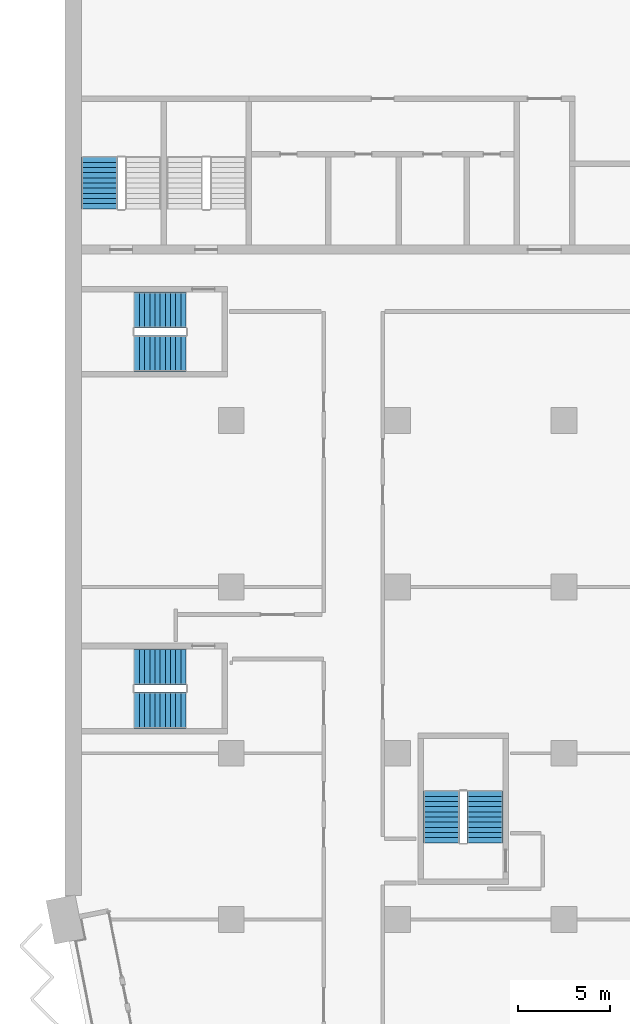
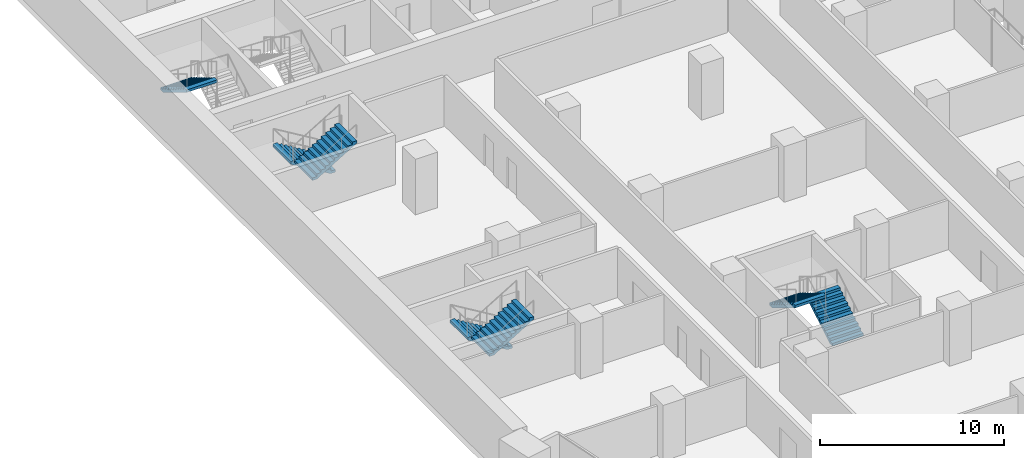
# One storey, part 19 of 28: 7 stair flights, 4 elements without a shape of their own.
"""IFC4 building model written with IfcOpenShell, lengths in metres."""

import ifcopenshell
import ifcopenshell.guid

model = None  # the IFC model being written
_history = None  # IfcOwnerHistory: only IFC2X3 demands one
_inside = {}  # id of a spatial element -> (the spatial element, [elements in it])
_under = {}  # id of a project, library or spatial element -> (it, [spatial elements below it])
_declared = {}  # id of a project -> (the project, [libraries it declares])
_typed = {}  # id of a type object -> (the type object, [elements of that type])
_made_of = {}  # id of a material, layer set ... -> (it, [elements and type objects made of it])


def new_model(schema):
    """Start an empty IFC model of exactly this schema.

    Asked for "IFC4X3", IfcOpenShell would pick the latest addendum, in which some entities
    have other attributes; the version numbers below select the first issue.
    IFC2X3 requires an IfcOwnerHistory on every rooted entity: one is made here for all.
    """
    global model, _history
    if schema == "IFC4X3":
        model = ifcopenshell.file(schema_version=(4, 3, 0, 0))
    else:
        model = ifcopenshell.file(schema=schema)
    _inside.clear()
    _under.clear()
    _declared.clear()
    _typed.clear()
    _made_of.clear()
    _history = None
    if model.schema == "IFC2X3":
        org = make("IfcOrganization", Name="unknown")
        user = make(
            "IfcPersonAndOrganization",
            ThePerson=make("IfcPerson", FamilyName="unknown"),
            TheOrganization=org,
        )
        app = make(
            "IfcApplication",
            ApplicationDeveloper=org,
            Version="unknown",
            ApplicationFullName="unknown",
            ApplicationIdentifier="unknown",
        )
        _history = make(
            "IfcOwnerHistory",
            OwningUser=user,
            OwningApplication=app,
            ChangeAction="ADDED",
            CreationDate=0,
        )
    return model


def make(cls, **values):
    """One entity of the class cls with the attributes given. An attribute that is None is left unset."""
    return model.create_entity(
        cls, **{name: value for name, value in values.items() if value is not None}
    )


def rooted(cls, **values):
    """An entity with a GlobalId (a new one), such as an element, a storey or a relation."""
    return make(cls, GlobalId=ifcopenshell.guid.new(), OwnerHistory=_history, **values)


def si_unit(unit_type, name, prefix=None):
    """IfcSIUnit, for example si_unit("LENGTHUNIT", "METRE", prefix="MILLI")."""
    return make("IfcSIUnit", UnitType=unit_type, Prefix=prefix, Name=name)


def assignment(units):
    """IfcUnitAssignment: the units of a project."""
    return None if units is None else make("IfcUnitAssignment", Units=units)


def point(xyz):
    """IfcCartesianPoint."""
    return None if xyz is None else make("IfcCartesianPoint", Coordinates=xyz)


def direction(xyz):
    """IfcDirection."""
    return None if xyz is None else make("IfcDirection", DirectionRatios=xyz)


def frame(location, z_axis=None, x_axis=None):
    """IfcAxis2Placement3D, a coordinate frame: its origin and axes. An axis left out is left unset."""
    return make(
        "IfcAxis2Placement3D",
        Location=point(location),
        Axis=direction(z_axis),
        RefDirection=direction(x_axis),
    )


def origin():
    """The frame at (0, 0, 0) with its axes left unset."""
    return frame((0.0, 0.0, 0.0))


def place(relative_to, where):
    """IfcLocalPlacement: puts the frame where relative to a parent placement (None: the world)."""
    return make(
        "IfcLocalPlacement", PlacementRelTo=relative_to, RelativePlacement=where
    )


def context(
    kind, dimensions, precision=None, world=None, true_north=None, identifier=None
):
    """IfcGeometricRepresentationContext, for example the 3D "Model" context."""
    return make(
        "IfcGeometricRepresentationContext",
        ContextIdentifier=identifier,
        ContextType=kind,
        CoordinateSpaceDimension=dimensions,
        Precision=precision,
        WorldCoordinateSystem=world,
        TrueNorth=true_north,
    )


def subcontext(parent, identifier, kind, view, scale=None):
    """IfcGeometricRepresentationSubContext, for example "Body" below "Model"."""
    return make(
        "IfcGeometricRepresentationSubContext",
        ContextIdentifier=identifier,
        ContextType=kind,
        ParentContext=parent,
        TargetScale=scale,
        TargetView=view,
    )


def project(units=None, contexts=None):
    """IfcProject with its units and contexts."""
    return rooted(
        "IfcProject",
        Name="project",
        RepresentationContexts=contexts,
        UnitsInContext=assignment(units),
    )


def spatial(cls, under=None, at=None, **own):
    """A site, building, storey or space (cls), placed at a placement, below another one or the project."""
    s = rooted(cls, ObjectPlacement=at, **own)
    if under is not None:
        _under.setdefault(under.id(), (under, []))[1].append(s)
    return s


def polyline(points):
    """IfcPolyline through the points."""
    return make("IfcPolyline", Points=[point(p) for p in points])


def outline(outer, holes=None, kind="AREA"):
    """IfcArbitraryClosedProfileDef: a profile drawn as a closed curve; with holes, ...WithVoids."""
    if holes is None:
        return make("IfcArbitraryClosedProfileDef", ProfileType=kind, OuterCurve=outer)
    return make(
        "IfcArbitraryProfileDefWithVoids",
        ProfileType=kind,
        OuterCurve=outer,
        InnerCurves=holes,
    )


def extrude(swept, where, along, depth):
    """IfcExtrudedAreaSolid: the profile swept, set in the frame where, extruded along a direction by depth."""
    return make(
        "IfcExtrudedAreaSolid",
        SweptArea=swept,
        Position=where,
        ExtrudedDirection=direction(along),
        Depth=depth,
    )


def shape(context_of_items, identifier, shape_type, items):
    """IfcShapeRepresentation: the items that make up one representation, for example the "Body"."""
    return make(
        "IfcShapeRepresentation",
        ContextOfItems=context_of_items,
        RepresentationIdentifier=identifier,
        RepresentationType=shape_type,
        Items=items,
    )


def material(Name=None, Category=None):
    """IfcMaterial."""
    return make("IfcMaterial", Name=Name, Category=Category)


def made_of(thing, what):
    """Note that an element or type object is made of a material, layer set ...; save() writes the relation."""
    if what is not None:
        _made_of.setdefault(what.id(), (what, []))[1].append(thing)
    return thing


def type_object(cls, material=None, **own):
    """A type object (cls), such as IfcWallType, which elements share."""
    return made_of(rooted(cls, **own), material)


def element(
    cls,
    number,
    at=None,
    inside=None,
    cuts=None,
    type_object=None,
    material=None,
    context=None,
    identifier="Body",
    shape_type=None,
    held_by="IfcProductDefinitionShape",
    body=None,
    shapes=None,
    **own,
):
    """One element of the class cls, such as IfcWall. Its Tag is "e" and its number.

    at: its placement. inside: the storey or other place that contains it. cuts: it is an
    opening in that element (IfcRelVoidsElement). A single representation is given by context,
    identifier, shape_type and body (its items); several are given by shapes. held_by: the class
    of the entity that holds the representations. save() writes the other relations.
    """
    e = rooted(cls, Tag="e%d" % number, ObjectPlacement=at, **own)
    if body is not None:
        shapes = [shape(context, identifier, shape_type, body)]
    if shapes is not None:
        e.Representation = make(held_by, Representations=shapes)
    if inside is not None:
        _inside.setdefault(inside.id(), (inside, []))[1].append(e)
    if cuts is not None:
        rooted(
            "IfcRelVoidsElement", RelatingBuildingElement=cuts, RelatedOpeningElement=e
        )
    if type_object is not None:
        _typed.setdefault(type_object.id(), (type_object, []))[1].append(e)
    return made_of(e, material)


def aggregate(whole, parts):
    """IfcRelAggregates: a whole, such as a stair, and the parts it consists of."""
    return rooted("IfcRelAggregates", RelatingObject=whole, RelatedObjects=parts)


def save(model, path):
    """Write the relations noted so far, then the file.

    IfcRelAggregates (storeys below a building ...), IfcRelContainedInSpatialStructure (elements
    in a storey), IfcRelDefinesByType, IfcRelAssociatesMaterial and IfcRelDeclares: one each for
    every whole, place, type object, material and project.
    """
    for whole, parts in _under.values():
        aggregate(whole, parts)
    for where, things in _inside.values():
        rooted(
            "IfcRelContainedInSpatialStructure",
            RelatedElements=things,
            RelatingStructure=where,
        )
    for kind, things in _typed.values():
        rooted("IfcRelDefinesByType", RelatedObjects=things, RelatingType=kind)
    for what, things in _made_of.values():
        rooted("IfcRelAssociatesMaterial", RelatedObjects=things, RelatingMaterial=what)
    for by, libraries in _declared.values():
        rooted("IfcRelDeclares", RelatingContext=by, RelatedDefinitions=libraries)
    model.write(path)


model = new_model("IFC4")

# Units and contexts
model_context = context("Model", 3, precision=1e-05, world=origin(), true_north=direction((0.0, 1.0)))
body_context = subcontext(model_context, "Body", "Model", "MODEL_VIEW")
ifc_project = project(units=[si_unit("LENGTHUNIT", "METRE"), si_unit("AREAUNIT", "SQUARE_METRE"), si_unit("VOLUMEUNIT", "CUBIC_METRE"), si_unit("PLANEANGLEUNIT", "RADIAN"), si_unit("MASSUNIT", "GRAM", prefix="KILO")], contexts=[model_context])

# Site, building, storey
site_placement = place(None, origin())
site = spatial("IfcSite", under=ifc_project, at=site_placement, CompositionType="ELEMENT")
building_placement = place(site_placement, origin())
building = spatial("IfcBuilding", under=site, at=building_placement, Name="Hunhe Ridgeline Campus", CompositionType="ELEMENT")
storey_placement = place(building_placement, frame((0.0, 0.0, 35.800048828125)))
storey = spatial("IfcBuildingStorey", under=building, at=storey_placement, Name="L07", CompositionType="ELEMENT", Elevation=35.800048828125)

# Stair, stair flight
ifc_material = material(Name="Concrete C40", Category="concrete")
stair_type = type_object("IfcStairType", Name="Reinforced concrete dog-leg stair 1950 Concrete C40", PredefinedType="HALF_TURN_STAIR", material=ifc_material)
stair_1_placement = place(storey_placement, origin())
stair_1 = element("IfcStair", 1, at=stair_1_placement, inside=storey, type_object=stair_type, Name="L07 S3", PredefinedType="HALF_TURN_STAIR")
stair_flight_type = type_object("IfcStairFlightType", Name="Reinforced concrete stair flight 1950 Concrete C40", PredefinedType="STRAIGHT", material=ifc_material)
stair_flight_1_placement = place(storey_placement, frame((1.875, 68.25, 1.849853515625), z_axis=(0.0, 0.0, 1.0), x_axis=(0.0, -1.0, 0.0)))
stair_flight_1 = element("IfcStairFlight", 2, at=stair_flight_1_placement, type_object=stair_flight_type, Name="ST3 flight 2", NumberOfRisers=11, NumberOfTreads=10, PredefinedType="STRAIGHT", RiserHeight=0.168181818, TreadLength=0.28, context=body_context, shape_type="SweptSolid", body=[
    extrude(outline(polyline([(0.0, 0.0), (0.0, 0.168212890625), (0.280029296875, 0.168212890625), (0.280029296875, 0.33642578125), (0.56005859375, 0.33642578125), (0.56005859375, 0.504638671875), (0.840087890625, 0.504638671875), (0.840087890625, 0.672607421875), (1.1201171875, 0.672607421875), (1.1201171875, 0.8408203125), (1.39990234375, 0.8408203125), (1.39990234375, 1.009033203125), (1.679931640625, 1.009033203125), (1.679931640625, 1.17724609375), (1.9599609375, 1.17724609375), (1.9599609375, 1.345458984375), (2.239990234375, 1.345458984375), (2.239990234375, 1.513671875), (2.52001953125, 1.513671875), (2.52001953125, 1.681884765625), (2.800048828125, 1.681884765625), (2.800048828125, 1.85009765625), (2.800048828125, 1.5068359375), (0.291015625, 0.0), (0.0, 0.0)])), frame((0.0, 0.97509765625, 0.0), z_axis=(0.0, -1.0, 0.0), x_axis=(1.0, 0.0, 0.0)), (0.0, 0.0, 1.0), 1.949951171875),
    extrude(outline(polyline([(0.030029296875, 0.030029296875), (0.030029296875, 0.13818359375), (0.31005859375, 0.13818359375), (0.31005859375, 0.306396484375), (0.590087890625, 0.306396484375), (0.590087890625, 0.474609375), (0.8701171875, 0.474609375), (0.8701171875, 0.642578125), (1.14990234375, 0.642578125), (1.14990234375, 0.810791015625), (1.429931640625, 0.810791015625), (1.429931640625, 0.97900390625), (1.7099609375, 0.97900390625), (1.7099609375, 1.147216796875), (1.989990234375, 1.147216796875), (1.989990234375, 1.3154296875), (2.27001953125, 1.3154296875), (2.27001953125, 1.483642578125), (2.550048828125, 1.483642578125), (2.550048828125, 1.65185546875), (2.77001953125, 1.65185546875), (2.77001953125, 1.52392578125), (0.28271484375, 0.030029296875), (0.030029296875, 0.030029296875)])), frame((0.0, -0.070068359375, 0.0), z_axis=(0.0, -1.0, 0.0), x_axis=(1.0, 0.0, 0.0)), (0.0, 0.0, 1.0), 0.019775390625),
    extrude(outline(polyline([(0.030029296875, 0.030029296875), (0.030029296875, 0.13818359375), (0.31005859375, 0.13818359375), (0.31005859375, 0.306396484375), (0.590087890625, 0.306396484375), (0.590087890625, 0.474609375), (0.8701171875, 0.474609375), (0.8701171875, 0.642578125), (1.14990234375, 0.642578125), (1.14990234375, 0.810791015625), (1.429931640625, 0.810791015625), (1.429931640625, 0.97900390625), (1.7099609375, 0.97900390625), (1.7099609375, 1.147216796875), (1.989990234375, 1.147216796875), (1.989990234375, 1.3154296875), (2.27001953125, 1.3154296875), (2.27001953125, 1.483642578125), (2.550048828125, 1.483642578125), (2.550048828125, 1.65185546875), (2.77001953125, 1.65185546875), (2.77001953125, 1.52392578125), (0.28271484375, 0.030029296875), (0.030029296875, 0.030029296875)])), frame((0.0, 0.010009765625, 0.0), z_axis=(0.0, -1.0, 0.0), x_axis=(1.0, 0.0, 0.0)), (0.0, 0.0, 1.0), 0.019775390625),
    extrude(outline(polyline([(0.030029296875, 0.030029296875), (0.030029296875, 0.13818359375), (0.31005859375, 0.13818359375), (0.31005859375, 0.306396484375), (0.590087890625, 0.306396484375), (0.590087890625, 0.474609375), (0.8701171875, 0.474609375), (0.8701171875, 0.642578125), (1.14990234375, 0.642578125), (1.14990234375, 0.810791015625), (1.429931640625, 0.810791015625), (1.429931640625, 0.97900390625), (1.7099609375, 0.97900390625), (1.7099609375, 1.147216796875), (1.989990234375, 1.147216796875), (1.989990234375, 1.3154296875), (2.27001953125, 1.3154296875), (2.27001953125, 1.483642578125), (2.550048828125, 1.483642578125), (2.550048828125, 1.65185546875), (2.77001953125, 1.65185546875), (2.77001953125, 1.52392578125), (0.28271484375, 0.030029296875), (0.030029296875, 0.030029296875)])), frame((0.0, 0.090087890625, 0.0), z_axis=(0.0, -1.0, 0.0), x_axis=(1.0, 0.0, 0.0)), (0.0, 0.0, 1.0), 0.019775390625),
])
aggregate(stair_1, [stair_flight_1])

# Stair, stair flights
stair_2_placement = place(storey_placement, origin())
stair_2 = element("IfcStair", 3, at=stair_2_placement, inside=storey, type_object=stair_type, Name="L07 W3", PredefinedType="HALF_TURN_STAIR")
stair_flight_2_placement = place(storey_placement, frame((22.72509765625, 31.14990234375, 0.0), z_axis=(0.0, 0.0, 1.0), x_axis=(0.0, 1.0, 0.0)))
stair_flight_2 = element("IfcStairFlight", 4, at=stair_flight_2_placement, type_object=stair_flight_type, Name="ST9 flight 1", NumberOfRisers=11, NumberOfTreads=10, PredefinedType="STRAIGHT", RiserHeight=0.168181818, TreadLength=0.28, context=body_context, shape_type="SweptSolid", body=[
    extrude(outline(polyline([(0.0, 0.0), (0.0, 0.168212890625), (0.280029296875, 0.168212890625), (0.280029296875, 0.33642578125), (0.56005859375, 0.33642578125), (0.56005859375, 0.504638671875), (0.840087890625, 0.504638671875), (0.840087890625, 0.672607421875), (1.1201171875, 0.672607421875), (1.1201171875, 0.8408203125), (1.39990234375, 0.8408203125), (1.39990234375, 1.009033203125), (1.679931640625, 1.009033203125), (1.679931640625, 1.17724609375), (1.9599609375, 1.17724609375), (1.9599609375, 1.345458984375), (2.239990234375, 1.345458984375), (2.239990234375, 1.513671875), (2.52001953125, 1.513671875), (2.52001953125, 1.681884765625), (2.800048828125, 1.681884765625), (2.800048828125, 1.85009765625), (2.800048828125, 1.5068359375), (0.291015625, 0.0), (0.0, 0.0)])), frame((0.0, 0.97509765625, 0.0), z_axis=(0.0, -1.0, 0.0), x_axis=(1.0, 0.0, 0.0)), (0.0, 0.0, 1.0), 1.949951171875),
    extrude(outline(polyline([(0.030029296875, 0.030029296875), (0.030029296875, 0.13818359375), (0.31005859375, 0.13818359375), (0.31005859375, 0.306396484375), (0.590087890625, 0.306396484375), (0.590087890625, 0.474609375), (0.8701171875, 0.474609375), (0.8701171875, 0.642578125), (1.14990234375, 0.642578125), (1.14990234375, 0.810791015625), (1.429931640625, 0.810791015625), (1.429931640625, 0.97900390625), (1.7099609375, 0.97900390625), (1.7099609375, 1.147216796875), (1.989990234375, 1.147216796875), (1.989990234375, 1.3154296875), (2.27001953125, 1.3154296875), (2.27001953125, 1.483642578125), (2.550048828125, 1.483642578125), (2.550048828125, 1.65185546875), (2.77001953125, 1.65185546875), (2.77001953125, 1.52392578125), (0.28271484375, 0.030029296875), (0.030029296875, 0.030029296875)])), frame((0.0, -0.070068359375, 0.0), z_axis=(0.0, -1.0, 0.0), x_axis=(1.0, 0.0, 0.0)), (0.0, 0.0, 1.0), 0.019775390625),
    extrude(outline(polyline([(0.030029296875, 0.030029296875), (0.030029296875, 0.13818359375), (0.31005859375, 0.13818359375), (0.31005859375, 0.306396484375), (0.590087890625, 0.306396484375), (0.590087890625, 0.474609375), (0.8701171875, 0.474609375), (0.8701171875, 0.642578125), (1.14990234375, 0.642578125), (1.14990234375, 0.810791015625), (1.429931640625, 0.810791015625), (1.429931640625, 0.97900390625), (1.7099609375, 0.97900390625), (1.7099609375, 1.147216796875), (1.989990234375, 1.147216796875), (1.989990234375, 1.3154296875), (2.27001953125, 1.3154296875), (2.27001953125, 1.483642578125), (2.550048828125, 1.483642578125), (2.550048828125, 1.65185546875), (2.77001953125, 1.65185546875), (2.77001953125, 1.52392578125), (0.28271484375, 0.030029296875), (0.030029296875, 0.030029296875)])), frame((0.0, 0.010009765625, 0.0), z_axis=(0.0, -1.0, 0.0), x_axis=(1.0, 0.0, 0.0)), (0.0, 0.0, 1.0), 0.019775390625),
    extrude(outline(polyline([(0.030029296875, 0.030029296875), (0.030029296875, 0.13818359375), (0.31005859375, 0.13818359375), (0.31005859375, 0.306396484375), (0.590087890625, 0.306396484375), (0.590087890625, 0.474609375), (0.8701171875, 0.474609375), (0.8701171875, 0.642578125), (1.14990234375, 0.642578125), (1.14990234375, 0.810791015625), (1.429931640625, 0.810791015625), (1.429931640625, 0.97900390625), (1.7099609375, 0.97900390625), (1.7099609375, 1.147216796875), (1.989990234375, 1.147216796875), (1.989990234375, 1.3154296875), (2.27001953125, 1.3154296875), (2.27001953125, 1.483642578125), (2.550048828125, 1.483642578125), (2.550048828125, 1.65185546875), (2.77001953125, 1.65185546875), (2.77001953125, 1.52392578125), (0.28271484375, 0.030029296875), (0.030029296875, 0.030029296875)])), frame((0.0, 0.090087890625, 0.0), z_axis=(0.0, -1.0, 0.0), x_axis=(1.0, 0.0, 0.0)), (0.0, 0.0, 1.0), 0.019775390625),
])
stair_flight_3_placement = place(storey_placement, frame((20.375, 33.949951171875, 1.849853515625), z_axis=(0.0, 0.0, 1.0), x_axis=(0.0, -1.0, 0.0)))
stair_flight_3 = element("IfcStairFlight", 5, at=stair_flight_3_placement, type_object=stair_flight_type, Name="ST9 flight 2", NumberOfRisers=11, NumberOfTreads=10, PredefinedType="STRAIGHT", RiserHeight=0.168181818, TreadLength=0.28, context=body_context, shape_type="SweptSolid", body=[
    extrude(outline(polyline([(0.0, 0.0), (0.0, 0.168212890625), (0.280029296875, 0.168212890625), (0.280029296875, 0.33642578125), (0.56005859375, 0.33642578125), (0.56005859375, 0.504638671875), (0.840087890625, 0.504638671875), (0.840087890625, 0.672607421875), (1.1201171875, 0.672607421875), (1.1201171875, 0.8408203125), (1.39990234375, 0.8408203125), (1.39990234375, 1.009033203125), (1.679931640625, 1.009033203125), (1.679931640625, 1.17724609375), (1.9599609375, 1.17724609375), (1.9599609375, 1.345458984375), (2.239990234375, 1.345458984375), (2.239990234375, 1.513671875), (2.52001953125, 1.513671875), (2.52001953125, 1.681884765625), (2.800048828125, 1.681884765625), (2.800048828125, 1.85009765625), (2.800048828125, 1.5068359375), (0.291015625, 0.0), (0.0, 0.0)])), frame((0.0, 0.97509765625, 0.0), z_axis=(0.0, -1.0, 0.0), x_axis=(1.0, 0.0, 0.0)), (0.0, 0.0, 1.0), 1.949951171875),
    extrude(outline(polyline([(0.030029296875, 0.030029296875), (0.030029296875, 0.13818359375), (0.31005859375, 0.13818359375), (0.31005859375, 0.306396484375), (0.590087890625, 0.306396484375), (0.590087890625, 0.474609375), (0.8701171875, 0.474609375), (0.8701171875, 0.642578125), (1.14990234375, 0.642578125), (1.14990234375, 0.810791015625), (1.429931640625, 0.810791015625), (1.429931640625, 0.97900390625), (1.7099609375, 0.97900390625), (1.7099609375, 1.147216796875), (1.989990234375, 1.147216796875), (1.989990234375, 1.3154296875), (2.27001953125, 1.3154296875), (2.27001953125, 1.483642578125), (2.550048828125, 1.483642578125), (2.550048828125, 1.65185546875), (2.77001953125, 1.65185546875), (2.77001953125, 1.52392578125), (0.28271484375, 0.030029296875), (0.030029296875, 0.030029296875)])), frame((0.0, -0.070068359375, 0.0), z_axis=(0.0, -1.0, 0.0), x_axis=(1.0, 0.0, 0.0)), (0.0, 0.0, 1.0), 0.019775390625),
    extrude(outline(polyline([(0.030029296875, 0.030029296875), (0.030029296875, 0.13818359375), (0.31005859375, 0.13818359375), (0.31005859375, 0.306396484375), (0.590087890625, 0.306396484375), (0.590087890625, 0.474609375), (0.8701171875, 0.474609375), (0.8701171875, 0.642578125), (1.14990234375, 0.642578125), (1.14990234375, 0.810791015625), (1.429931640625, 0.810791015625), (1.429931640625, 0.97900390625), (1.7099609375, 0.97900390625), (1.7099609375, 1.147216796875), (1.989990234375, 1.147216796875), (1.989990234375, 1.3154296875), (2.27001953125, 1.3154296875), (2.27001953125, 1.483642578125), (2.550048828125, 1.483642578125), (2.550048828125, 1.65185546875), (2.77001953125, 1.65185546875), (2.77001953125, 1.52392578125), (0.28271484375, 0.030029296875), (0.030029296875, 0.030029296875)])), frame((0.0, 0.010009765625, 0.0), z_axis=(0.0, -1.0, 0.0), x_axis=(1.0, 0.0, 0.0)), (0.0, 0.0, 1.0), 0.019775390625),
    extrude(outline(polyline([(0.030029296875, 0.030029296875), (0.030029296875, 0.13818359375), (0.31005859375, 0.13818359375), (0.31005859375, 0.306396484375), (0.590087890625, 0.306396484375), (0.590087890625, 0.474609375), (0.8701171875, 0.474609375), (0.8701171875, 0.642578125), (1.14990234375, 0.642578125), (1.14990234375, 0.810791015625), (1.429931640625, 0.810791015625), (1.429931640625, 0.97900390625), (1.7099609375, 0.97900390625), (1.7099609375, 1.147216796875), (1.989990234375, 1.147216796875), (1.989990234375, 1.3154296875), (2.27001953125, 1.3154296875), (2.27001953125, 1.483642578125), (2.550048828125, 1.483642578125), (2.550048828125, 1.65185546875), (2.77001953125, 1.65185546875), (2.77001953125, 1.52392578125), (0.28271484375, 0.030029296875), (0.030029296875, 0.030029296875)])), frame((0.0, 0.090087890625, 0.0), z_axis=(0.0, -1.0, 0.0), x_axis=(1.0, 0.0, 0.0)), (0.0, 0.0, 1.0), 0.019775390625),
])
aggregate(stair_2, [stair_flight_2, stair_flight_3])

stair_3_placement = place(storey_placement, origin())
stair_3 = element("IfcStair", 6, at=stair_3_placement, inside=storey, type_object=stair_type, Name="L07 W1", PredefinedType="HALF_TURN_STAIR")
stair_flight_4_placement = place(storey_placement, frame((6.550048828125, 40.675048828125, 0.0), z_axis=(0.0, 0.0, 1.0), x_axis=(-1.0, 0.0, 0.0)))
stair_flight_4 = element("IfcStairFlight", 7, at=stair_flight_4_placement, type_object=stair_flight_type, Name="ST11 flight 1", NumberOfRisers=11, NumberOfTreads=10, PredefinedType="STRAIGHT", RiserHeight=0.168181818, TreadLength=0.28, context=body_context, shape_type="SweptSolid", body=[
    extrude(outline(polyline([(0.0, 0.0), (0.0, 0.168212890625), (0.280029296875, 0.168212890625), (0.280029296875, 0.33642578125), (0.56005859375, 0.33642578125), (0.56005859375, 0.504638671875), (0.840087890625, 0.504638671875), (0.840087890625, 0.672607421875), (1.1201171875, 0.672607421875), (1.1201171875, 0.8408203125), (1.39990234375, 0.8408203125), (1.39990234375, 1.009033203125), (1.679931640625, 1.009033203125), (1.679931640625, 1.17724609375), (1.9599609375, 1.17724609375), (1.9599609375, 1.345458984375), (2.239990234375, 1.345458984375), (2.239990234375, 1.513671875), (2.52001953125, 1.513671875), (2.52001953125, 1.681884765625), (2.800048828125, 1.681884765625), (2.800048828125, 1.85009765625), (2.800048828125, 1.5068359375), (0.291015625, 0.0), (0.0, 0.0)])), frame((0.0, 0.97509765625, 0.0), z_axis=(0.0, -1.0, 0.0), x_axis=(1.0, 0.0, 0.0)), (0.0, 0.0, 1.0), 1.949951171875),
    extrude(outline(polyline([(0.030029296875, 0.030029296875), (0.030029296875, 0.13818359375), (0.31005859375, 0.13818359375), (0.31005859375, 0.306396484375), (0.590087890625, 0.306396484375), (0.590087890625, 0.474609375), (0.8701171875, 0.474609375), (0.8701171875, 0.642578125), (1.14990234375, 0.642578125), (1.14990234375, 0.810791015625), (1.429931640625, 0.810791015625), (1.429931640625, 0.97900390625), (1.7099609375, 0.97900390625), (1.7099609375, 1.147216796875), (1.989990234375, 1.147216796875), (1.989990234375, 1.3154296875), (2.27001953125, 1.3154296875), (2.27001953125, 1.483642578125), (2.550048828125, 1.483642578125), (2.550048828125, 1.65185546875), (2.77001953125, 1.65185546875), (2.77001953125, 1.52392578125), (0.28271484375, 0.030029296875), (0.030029296875, 0.030029296875)])), frame((0.0, -0.070068359375, 0.0), z_axis=(0.0, -1.0, 0.0), x_axis=(1.0, 0.0, 0.0)), (0.0, 0.0, 1.0), 0.019775390625),
    extrude(outline(polyline([(0.030029296875, 0.030029296875), (0.030029296875, 0.13818359375), (0.31005859375, 0.13818359375), (0.31005859375, 0.306396484375), (0.590087890625, 0.306396484375), (0.590087890625, 0.474609375), (0.8701171875, 0.474609375), (0.8701171875, 0.642578125), (1.14990234375, 0.642578125), (1.14990234375, 0.810791015625), (1.429931640625, 0.810791015625), (1.429931640625, 0.97900390625), (1.7099609375, 0.97900390625), (1.7099609375, 1.147216796875), (1.989990234375, 1.147216796875), (1.989990234375, 1.3154296875), (2.27001953125, 1.3154296875), (2.27001953125, 1.483642578125), (2.550048828125, 1.483642578125), (2.550048828125, 1.65185546875), (2.77001953125, 1.65185546875), (2.77001953125, 1.52392578125), (0.28271484375, 0.030029296875), (0.030029296875, 0.030029296875)])), frame((0.0, 0.010009765625, 0.0), z_axis=(0.0, -1.0, 0.0), x_axis=(1.0, 0.0, 0.0)), (0.0, 0.0, 1.0), 0.019775390625),
    extrude(outline(polyline([(0.030029296875, 0.030029296875), (0.030029296875, 0.13818359375), (0.31005859375, 0.13818359375), (0.31005859375, 0.306396484375), (0.590087890625, 0.306396484375), (0.590087890625, 0.474609375), (0.8701171875, 0.474609375), (0.8701171875, 0.642578125), (1.14990234375, 0.642578125), (1.14990234375, 0.810791015625), (1.429931640625, 0.810791015625), (1.429931640625, 0.97900390625), (1.7099609375, 0.97900390625), (1.7099609375, 1.147216796875), (1.989990234375, 1.147216796875), (1.989990234375, 1.3154296875), (2.27001953125, 1.3154296875), (2.27001953125, 1.483642578125), (2.550048828125, 1.483642578125), (2.550048828125, 1.65185546875), (2.77001953125, 1.65185546875), (2.77001953125, 1.52392578125), (0.28271484375, 0.030029296875), (0.030029296875, 0.030029296875)])), frame((0.0, 0.090087890625, 0.0), z_axis=(0.0, -1.0, 0.0), x_axis=(1.0, 0.0, 0.0)), (0.0, 0.0, 1.0), 0.019775390625),
])
stair_flight_5_placement = place(storey_placement, frame((3.75, 38.324951171875, 1.849853515625), z_axis=(0.0, 0.0, 1.0), x_axis=(1.0, 0.0, 0.0)))
stair_flight_5 = element("IfcStairFlight", 8, at=stair_flight_5_placement, type_object=stair_flight_type, Name="ST11 flight 2", NumberOfRisers=11, NumberOfTreads=10, PredefinedType="STRAIGHT", RiserHeight=0.168181818, TreadLength=0.28, context=body_context, shape_type="SweptSolid", body=[
    extrude(outline(polyline([(0.0, 0.0), (0.0, 0.168212890625), (0.280029296875, 0.168212890625), (0.280029296875, 0.33642578125), (0.56005859375, 0.33642578125), (0.56005859375, 0.504638671875), (0.840087890625, 0.504638671875), (0.840087890625, 0.672607421875), (1.1201171875, 0.672607421875), (1.1201171875, 0.8408203125), (1.39990234375, 0.8408203125), (1.39990234375, 1.009033203125), (1.679931640625, 1.009033203125), (1.679931640625, 1.17724609375), (1.9599609375, 1.17724609375), (1.9599609375, 1.345458984375), (2.239990234375, 1.345458984375), (2.239990234375, 1.513671875), (2.52001953125, 1.513671875), (2.52001953125, 1.681884765625), (2.800048828125, 1.681884765625), (2.800048828125, 1.85009765625), (2.800048828125, 1.5068359375), (0.291015625, 0.0), (0.0, 0.0)])), frame((0.0, 0.97509765625, 0.0), z_axis=(0.0, -1.0, 0.0), x_axis=(1.0, 0.0, 0.0)), (0.0, 0.0, 1.0), 1.949951171875),
    extrude(outline(polyline([(0.030029296875, 0.030029296875), (0.030029296875, 0.13818359375), (0.31005859375, 0.13818359375), (0.31005859375, 0.306396484375), (0.590087890625, 0.306396484375), (0.590087890625, 0.474609375), (0.8701171875, 0.474609375), (0.8701171875, 0.642578125), (1.14990234375, 0.642578125), (1.14990234375, 0.810791015625), (1.429931640625, 0.810791015625), (1.429931640625, 0.97900390625), (1.7099609375, 0.97900390625), (1.7099609375, 1.147216796875), (1.989990234375, 1.147216796875), (1.989990234375, 1.3154296875), (2.27001953125, 1.3154296875), (2.27001953125, 1.483642578125), (2.550048828125, 1.483642578125), (2.550048828125, 1.65185546875), (2.77001953125, 1.65185546875), (2.77001953125, 1.52392578125), (0.28271484375, 0.030029296875), (0.030029296875, 0.030029296875)])), frame((0.0, -0.070068359375, 0.0), z_axis=(0.0, -1.0, 0.0), x_axis=(1.0, 0.0, 0.0)), (0.0, 0.0, 1.0), 0.019775390625),
    extrude(outline(polyline([(0.030029296875, 0.030029296875), (0.030029296875, 0.13818359375), (0.31005859375, 0.13818359375), (0.31005859375, 0.306396484375), (0.590087890625, 0.306396484375), (0.590087890625, 0.474609375), (0.8701171875, 0.474609375), (0.8701171875, 0.642578125), (1.14990234375, 0.642578125), (1.14990234375, 0.810791015625), (1.429931640625, 0.810791015625), (1.429931640625, 0.97900390625), (1.7099609375, 0.97900390625), (1.7099609375, 1.147216796875), (1.989990234375, 1.147216796875), (1.989990234375, 1.3154296875), (2.27001953125, 1.3154296875), (2.27001953125, 1.483642578125), (2.550048828125, 1.483642578125), (2.550048828125, 1.65185546875), (2.77001953125, 1.65185546875), (2.77001953125, 1.52392578125), (0.28271484375, 0.030029296875), (0.030029296875, 0.030029296875)])), frame((0.0, 0.010009765625, 0.0), z_axis=(0.0, -1.0, 0.0), x_axis=(1.0, 0.0, 0.0)), (0.0, 0.0, 1.0), 0.019775390625),
    extrude(outline(polyline([(0.030029296875, 0.030029296875), (0.030029296875, 0.13818359375), (0.31005859375, 0.13818359375), (0.31005859375, 0.306396484375), (0.590087890625, 0.306396484375), (0.590087890625, 0.474609375), (0.8701171875, 0.474609375), (0.8701171875, 0.642578125), (1.14990234375, 0.642578125), (1.14990234375, 0.810791015625), (1.429931640625, 0.810791015625), (1.429931640625, 0.97900390625), (1.7099609375, 0.97900390625), (1.7099609375, 1.147216796875), (1.989990234375, 1.147216796875), (1.989990234375, 1.3154296875), (2.27001953125, 1.3154296875), (2.27001953125, 1.483642578125), (2.550048828125, 1.483642578125), (2.550048828125, 1.65185546875), (2.77001953125, 1.65185546875), (2.77001953125, 1.52392578125), (0.28271484375, 0.030029296875), (0.030029296875, 0.030029296875)])), frame((0.0, 0.090087890625, 0.0), z_axis=(0.0, -1.0, 0.0), x_axis=(1.0, 0.0, 0.0)), (0.0, 0.0, 1.0), 0.019775390625),
])
aggregate(stair_3, [stair_flight_4, stair_flight_5])

stair_4_placement = place(storey_placement, origin())
stair_4 = element("IfcStair", 9, at=stair_4_placement, inside=storey, type_object=stair_type, Name="L07 W2", PredefinedType="HALF_TURN_STAIR")
stair_flight_6_placement = place(storey_placement, frame((6.550048828125, 59.97509765625, 0.0), z_axis=(0.0, 0.0, 1.0), x_axis=(-1.0, 0.0, 0.0)))
stair_flight_6 = element("IfcStairFlight", 10, at=stair_flight_6_placement, type_object=stair_flight_type, Name="ST12 flight 1", NumberOfRisers=11, NumberOfTreads=10, PredefinedType="STRAIGHT", RiserHeight=0.168181818, TreadLength=0.28, context=body_context, shape_type="SweptSolid", body=[
    extrude(outline(polyline([(0.0, 0.0), (0.0, 0.168212890625), (0.280029296875, 0.168212890625), (0.280029296875, 0.33642578125), (0.56005859375, 0.33642578125), (0.56005859375, 0.504638671875), (0.840087890625, 0.504638671875), (0.840087890625, 0.672607421875), (1.1201171875, 0.672607421875), (1.1201171875, 0.8408203125), (1.39990234375, 0.8408203125), (1.39990234375, 1.009033203125), (1.679931640625, 1.009033203125), (1.679931640625, 1.17724609375), (1.9599609375, 1.17724609375), (1.9599609375, 1.345458984375), (2.239990234375, 1.345458984375), (2.239990234375, 1.513671875), (2.52001953125, 1.513671875), (2.52001953125, 1.681884765625), (2.800048828125, 1.681884765625), (2.800048828125, 1.85009765625), (2.800048828125, 1.5068359375), (0.291015625, 0.0), (0.0, 0.0)])), frame((0.0, 0.97509765625, 0.0), z_axis=(0.0, -1.0, 0.0), x_axis=(1.0, 0.0, 0.0)), (0.0, 0.0, 1.0), 1.949951171875),
    extrude(outline(polyline([(0.030029296875, 0.030029296875), (0.030029296875, 0.13818359375), (0.31005859375, 0.13818359375), (0.31005859375, 0.306396484375), (0.590087890625, 0.306396484375), (0.590087890625, 0.474609375), (0.8701171875, 0.474609375), (0.8701171875, 0.642578125), (1.14990234375, 0.642578125), (1.14990234375, 0.810791015625), (1.429931640625, 0.810791015625), (1.429931640625, 0.97900390625), (1.7099609375, 0.97900390625), (1.7099609375, 1.147216796875), (1.989990234375, 1.147216796875), (1.989990234375, 1.3154296875), (2.27001953125, 1.3154296875), (2.27001953125, 1.483642578125), (2.550048828125, 1.483642578125), (2.550048828125, 1.65185546875), (2.77001953125, 1.65185546875), (2.77001953125, 1.52392578125), (0.28271484375, 0.030029296875), (0.030029296875, 0.030029296875)])), frame((0.0, -0.070068359375, 0.0), z_axis=(0.0, -1.0, 0.0), x_axis=(1.0, 0.0, 0.0)), (0.0, 0.0, 1.0), 0.019775390625),
    extrude(outline(polyline([(0.030029296875, 0.030029296875), (0.030029296875, 0.13818359375), (0.31005859375, 0.13818359375), (0.31005859375, 0.306396484375), (0.590087890625, 0.306396484375), (0.590087890625, 0.474609375), (0.8701171875, 0.474609375), (0.8701171875, 0.642578125), (1.14990234375, 0.642578125), (1.14990234375, 0.810791015625), (1.429931640625, 0.810791015625), (1.429931640625, 0.97900390625), (1.7099609375, 0.97900390625), (1.7099609375, 1.147216796875), (1.989990234375, 1.147216796875), (1.989990234375, 1.3154296875), (2.27001953125, 1.3154296875), (2.27001953125, 1.483642578125), (2.550048828125, 1.483642578125), (2.550048828125, 1.65185546875), (2.77001953125, 1.65185546875), (2.77001953125, 1.52392578125), (0.28271484375, 0.030029296875), (0.030029296875, 0.030029296875)])), frame((0.0, 0.010009765625, 0.0), z_axis=(0.0, -1.0, 0.0), x_axis=(1.0, 0.0, 0.0)), (0.0, 0.0, 1.0), 0.019775390625),
    extrude(outline(polyline([(0.030029296875, 0.030029296875), (0.030029296875, 0.13818359375), (0.31005859375, 0.13818359375), (0.31005859375, 0.306396484375), (0.590087890625, 0.306396484375), (0.590087890625, 0.474609375), (0.8701171875, 0.474609375), (0.8701171875, 0.642578125), (1.14990234375, 0.642578125), (1.14990234375, 0.810791015625), (1.429931640625, 0.810791015625), (1.429931640625, 0.97900390625), (1.7099609375, 0.97900390625), (1.7099609375, 1.147216796875), (1.989990234375, 1.147216796875), (1.989990234375, 1.3154296875), (2.27001953125, 1.3154296875), (2.27001953125, 1.483642578125), (2.550048828125, 1.483642578125), (2.550048828125, 1.65185546875), (2.77001953125, 1.65185546875), (2.77001953125, 1.52392578125), (0.28271484375, 0.030029296875), (0.030029296875, 0.030029296875)])), frame((0.0, 0.090087890625, 0.0), z_axis=(0.0, -1.0, 0.0), x_axis=(1.0, 0.0, 0.0)), (0.0, 0.0, 1.0), 0.019775390625),
])
stair_flight_7_placement = place(storey_placement, frame((3.75, 57.625, 1.849853515625), z_axis=(0.0, 0.0, 1.0), x_axis=(1.0, 0.0, 0.0)))
stair_flight_7 = element("IfcStairFlight", 11, at=stair_flight_7_placement, type_object=stair_flight_type, Name="ST12 flight 2", NumberOfRisers=11, NumberOfTreads=10, PredefinedType="STRAIGHT", RiserHeight=0.168181818, TreadLength=0.28, context=body_context, shape_type="SweptSolid", body=[
    extrude(outline(polyline([(0.0, 0.0), (0.0, 0.168212890625), (0.280029296875, 0.168212890625), (0.280029296875, 0.33642578125), (0.56005859375, 0.33642578125), (0.56005859375, 0.504638671875), (0.840087890625, 0.504638671875), (0.840087890625, 0.672607421875), (1.1201171875, 0.672607421875), (1.1201171875, 0.8408203125), (1.39990234375, 0.8408203125), (1.39990234375, 1.009033203125), (1.679931640625, 1.009033203125), (1.679931640625, 1.17724609375), (1.9599609375, 1.17724609375), (1.9599609375, 1.345458984375), (2.239990234375, 1.345458984375), (2.239990234375, 1.513671875), (2.52001953125, 1.513671875), (2.52001953125, 1.681884765625), (2.800048828125, 1.681884765625), (2.800048828125, 1.85009765625), (2.800048828125, 1.5068359375), (0.291015625, 0.0), (0.0, 0.0)])), frame((0.0, 0.97509765625, 0.0), z_axis=(0.0, -1.0, 0.0), x_axis=(1.0, 0.0, 0.0)), (0.0, 0.0, 1.0), 1.949951171875),
    extrude(outline(polyline([(0.030029296875, 0.030029296875), (0.030029296875, 0.13818359375), (0.31005859375, 0.13818359375), (0.31005859375, 0.306396484375), (0.590087890625, 0.306396484375), (0.590087890625, 0.474609375), (0.8701171875, 0.474609375), (0.8701171875, 0.642578125), (1.14990234375, 0.642578125), (1.14990234375, 0.810791015625), (1.429931640625, 0.810791015625), (1.429931640625, 0.97900390625), (1.7099609375, 0.97900390625), (1.7099609375, 1.147216796875), (1.989990234375, 1.147216796875), (1.989990234375, 1.3154296875), (2.27001953125, 1.3154296875), (2.27001953125, 1.483642578125), (2.550048828125, 1.483642578125), (2.550048828125, 1.65185546875), (2.77001953125, 1.65185546875), (2.77001953125, 1.52392578125), (0.28271484375, 0.030029296875), (0.030029296875, 0.030029296875)])), frame((0.0, -0.070068359375, 0.0), z_axis=(0.0, -1.0, 0.0), x_axis=(1.0, 0.0, 0.0)), (0.0, 0.0, 1.0), 0.019775390625),
    extrude(outline(polyline([(0.030029296875, 0.030029296875), (0.030029296875, 0.13818359375), (0.31005859375, 0.13818359375), (0.31005859375, 0.306396484375), (0.590087890625, 0.306396484375), (0.590087890625, 0.474609375), (0.8701171875, 0.474609375), (0.8701171875, 0.642578125), (1.14990234375, 0.642578125), (1.14990234375, 0.810791015625), (1.429931640625, 0.810791015625), (1.429931640625, 0.97900390625), (1.7099609375, 0.97900390625), (1.7099609375, 1.147216796875), (1.989990234375, 1.147216796875), (1.989990234375, 1.3154296875), (2.27001953125, 1.3154296875), (2.27001953125, 1.483642578125), (2.550048828125, 1.483642578125), (2.550048828125, 1.65185546875), (2.77001953125, 1.65185546875), (2.77001953125, 1.52392578125), (0.28271484375, 0.030029296875), (0.030029296875, 0.030029296875)])), frame((0.0, 0.010009765625, 0.0), z_axis=(0.0, -1.0, 0.0), x_axis=(1.0, 0.0, 0.0)), (0.0, 0.0, 1.0), 0.019775390625),
    extrude(outline(polyline([(0.030029296875, 0.030029296875), (0.030029296875, 0.13818359375), (0.31005859375, 0.13818359375), (0.31005859375, 0.306396484375), (0.590087890625, 0.306396484375), (0.590087890625, 0.474609375), (0.8701171875, 0.474609375), (0.8701171875, 0.642578125), (1.14990234375, 0.642578125), (1.14990234375, 0.810791015625), (1.429931640625, 0.810791015625), (1.429931640625, 0.97900390625), (1.7099609375, 0.97900390625), (1.7099609375, 1.147216796875), (1.989990234375, 1.147216796875), (1.989990234375, 1.3154296875), (2.27001953125, 1.3154296875), (2.27001953125, 1.483642578125), (2.550048828125, 1.483642578125), (2.550048828125, 1.65185546875), (2.77001953125, 1.65185546875), (2.77001953125, 1.52392578125), (0.28271484375, 0.030029296875), (0.030029296875, 0.030029296875)])), frame((0.0, 0.090087890625, 0.0), z_axis=(0.0, -1.0, 0.0), x_axis=(1.0, 0.0, 0.0)), (0.0, 0.0, 1.0), 0.019775390625),
])
aggregate(stair_4, [stair_flight_6, stair_flight_7])

save(model, "model.ifc")
